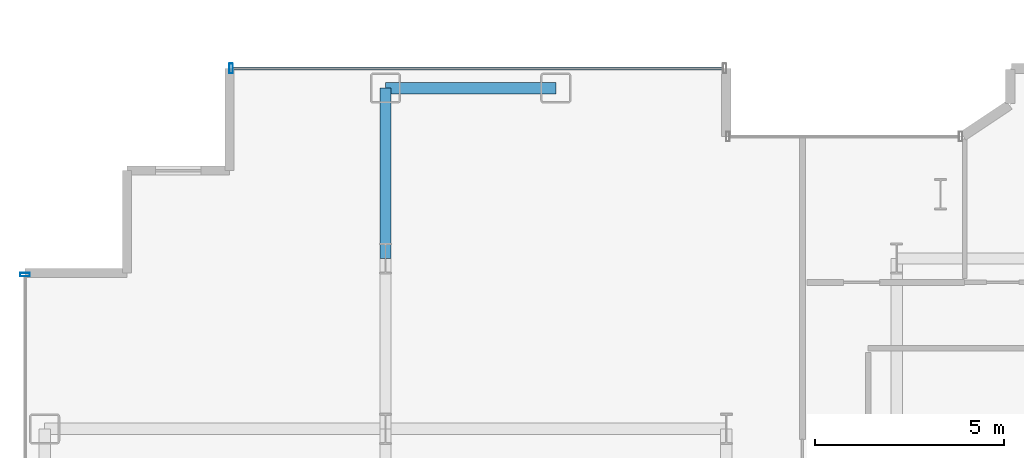
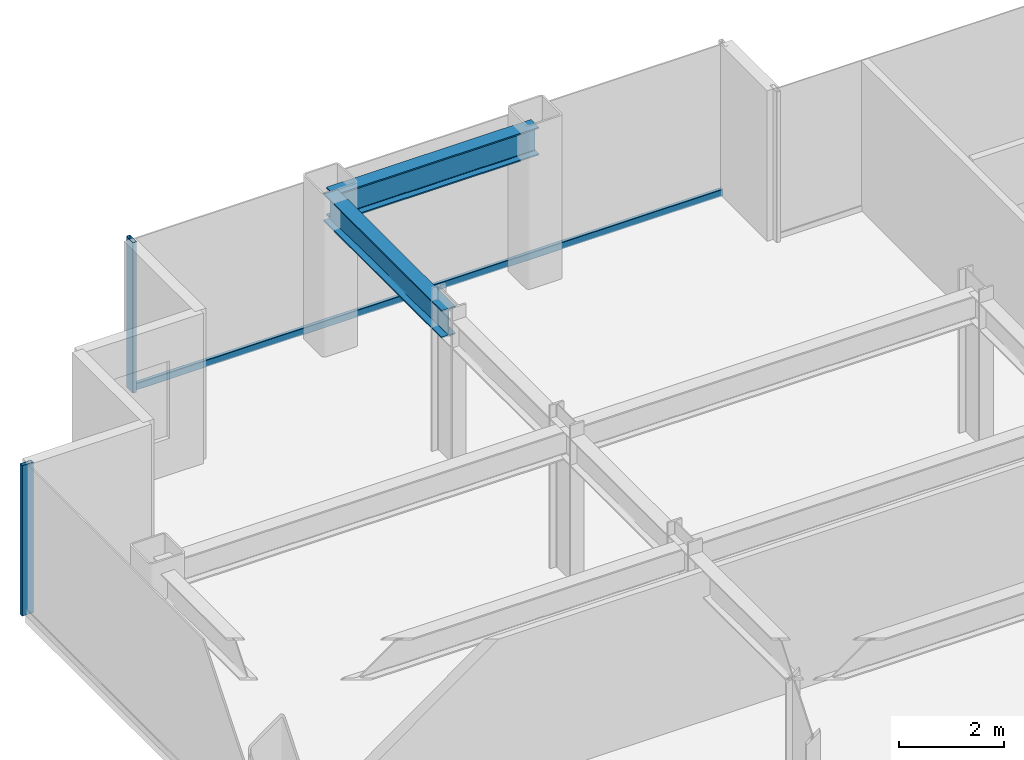
# One storey, part 10 of 23: 3 members, 2 beams, 2 elements without a shape of their own.
"""IFC4 building model written with IfcOpenShell, lengths in metres."""

from ifc_helpers import new_model, si_unit, direction, frame, origin, origin_2d, place, context, subcontext, project, spatial, hollow_rectangle, i_section, extrude, source, transform, mapped, material, layer, layer_set, material_profile, profile_set, type_object, element, aggregate, save


model = new_model("IFC4")

# Units and contexts
model_context = context("Model", 3, precision=1e-05, world=origin(), true_north=direction((0.0, 1.0)))
body_context = subcontext(model_context, "Body", "Model", "MODEL_VIEW")
ifc_project = project(units=[si_unit("LENGTHUNIT", "METRE"), si_unit("AREAUNIT", "SQUARE_METRE"), si_unit("VOLUMEUNIT", "CUBIC_METRE"), si_unit("PLANEANGLEUNIT", "RADIAN"), si_unit("MASSUNIT", "GRAM", prefix="KILO")], contexts=[model_context])

# Site, building, storey
site_placement = place(None, origin())
site = spatial("IfcSite", under=ifc_project, at=site_placement, CompositionType="ELEMENT")
building_placement = place(site_placement, origin())
building = spatial("IfcBuilding", under=site, at=building_placement, Name="Nefas-Gora Pilgrimage Tower", CompositionType="ELEMENT")
storey_placement = place(building_placement, frame((0.0, 0.0, 198.199951171875)))
storey = spatial("IfcBuildingStorey", under=building, at=storey_placement, Name="L49", CompositionType="ELEMENT", Elevation=198.199951171875)

# Beams
ifc_material_1 = material(Name="Steel S355", Category="steel")
ifc_material_profile_1 = material_profile(ifc_material_1, i_section(OverallWidth=0.300048828125, OverallDepth=0.64990234375, WebThickness=0.01611328125, FlangeThickness=0.031005859375, FilletRadius=0.027099609375, at=origin_2d()), Name="HEB 650")
ifc_profile_set_1 = profile_set([ifc_material_profile_1], Name="Steel S355")
beam_type_1 = type_object("IfcBeamType", Name="BM-SPN-HEB500", PredefinedType="SPANDREL", material=ifc_profile_set_1)
shared_shape_1 = source(origin(), body_context, "Body", "SweptSolid", [
    extrude(i_section(OverallWidth=0.300048828125, OverallDepth=0.64990234375, WebThickness=0.01611328125, FlangeThickness=0.031005859375, FilletRadius=0.027099609375, at=origin_2d()), origin(), (0.0, 0.0, 1.0), 4.5),
])
beam_1_placement = place(storey_placement, frame((-24.75, 22.5, 3.175048828125), z_axis=(1.0, 0.0, 0.0), x_axis=(0.0, 1.0, 0.0)))
element("IfcBeam", 1, at=beam_1_placement, inside=storey, type_object=beam_type_1, Name="L49 SP-02 beam", PredefinedType="SPANDREL", context=body_context, shape_type="MappedRepresentation", body=[
    mapped(shared_shape_1, transform((0.0, 0.0, 0.0), x_axis=(1.0, 0.0, 0.0), y_axis=(0.0, 1.0, 0.0), z_axis=(0.0, 0.0, 1.0), scale=1.0)),
])
ifc_material_profile_2 = material_profile(ifc_material_1, i_section(OverallWidth=0.300048828125, OverallDepth=0.64990234375, WebThickness=0.01611328125, FlangeThickness=0.031005859375, FilletRadius=0.027099609375, at=origin_2d()), Name="HEB 650")
ifc_profile_set_2 = profile_set([ifc_material_profile_2], Name="Steel S355")
beam_type_2 = type_object("IfcBeamType", Name="BM-GIR-HEB650", PredefinedType="BEAM", material=ifc_profile_set_2)
shared_shape_2 = source(origin(), body_context, "Body", "SweptSolid", [
    extrude(i_section(OverallWidth=0.300048828125, OverallDepth=0.64990234375, WebThickness=0.01611328125, FlangeThickness=0.031005859375, FilletRadius=0.027099609375, at=origin_2d()), origin(), (0.0, 0.0, 1.0), 4.5),
])
beam_2_placement = place(storey_placement, frame((-24.75, 18.0, 3.175048828125), z_axis=(0.0, 1.0, 0.0), x_axis=(-1.0, 0.0, 0.0)))
element("IfcBeam", 2, at=beam_2_placement, inside=storey, type_object=beam_type_2, Name="L49 G-03 beam", PredefinedType="BEAM", context=body_context, shape_type="MappedRepresentation", body=[
    mapped(shared_shape_2, transform((0.0, 0.0, 0.0), x_axis=(1.0, 0.0, 0.0), y_axis=(0.0, 1.0, 0.0), z_axis=(0.0, 0.0, 1.0), scale=1.0)),
])

# Curtain wall, members
ifc_material_2 = material(Name="Dark ceramic-fritted solar-control aluminium-glass curtain wall", Category="aluminium")
ifc_layer = layer(ifc_material_2, 0.219970703125)
ifc_layer_set = layer_set([ifc_layer], Name="Dark ceramic-fritted solar-control aluminium-glass curtain wall")
curtain_wall_type = type_object("IfcCurtainWallType", Name="CW-SYS-3", PredefinedType="NOTDEFINED", material=ifc_layer_set)
curtain_wall_1_placement = place(storey_placement, origin())
curtain_wall_1 = element("IfcCurtainWall", 3, at=curtain_wall_1_placement, inside=storey, type_object=curtain_wall_type, Name="L49 Unitised Curtain Wall CW3", PredefinedType="NOTDEFINED")
ifc_material_3 = material(Name="Anodised architectural aluminium", Category="aluminium")
ifc_material_profile_3 = material_profile(ifc_material_3, hollow_rectangle(XDim=0.080078125, YDim=0.159912109375, WallThickness=0.00439453125, InnerFilletRadius=0.00439453125, OuterFilletRadius=0.009033203125, at=origin_2d()), Name="ALU TRANSOM 80x160")
ifc_profile_set_3 = profile_set([ifc_material_profile_3], Name="Anodised architectural aluminium")
member_type_1 = type_object("IfcMemberType", Name="CWM-TRN-3", PredefinedType="USERDEFINED", material=ifc_profile_set_3)
shared_shape_3 = source(origin(), body_context, "Body", "SweptSolid", [
    extrude(hollow_rectangle(XDim=0.080078125, YDim=0.159912109375, WallThickness=0.00439453125, InnerFilletRadius=0.00439453125, OuterFilletRadius=0.009033203125, at=origin_2d()), origin(), (0.0, 0.0, 1.0), 12.93994140625),
])
member_1_placement = place(storey_placement, frame((-15.840087890625, 23.02001953125, 0.050048828125), z_axis=(-1.0, 0.0, 0.0), x_axis=(0.0, -1.0, 0.0)))
member_1 = element("IfcMember", 4, at=member_1_placement, type_object=member_type_1, Name="CW3 Spandrel Transom", ObjectType="TRANSOM", PredefinedType="USERDEFINED", context=body_context, shape_type="MappedRepresentation", body=[
    mapped(shared_shape_3, transform((0.0, 0.0, 0.0), x_axis=(1.0, 0.0, 0.0), y_axis=(0.0, 1.0, 0.0), z_axis=(0.0, 0.0, 1.0), scale=1.0)),
])
ifc_material_profile_4 = material_profile(ifc_material_3, hollow_rectangle(XDim=0.090087890625, YDim=0.260009765625, WallThickness=0.006103515625, InnerFilletRadius=0.006103515625, OuterFilletRadius=0.011962890625, at=origin_2d()), Name="ALU MULLION 90x260")
ifc_profile_set_4 = profile_set([ifc_material_profile_4], Name="Anodised architectural aluminium")
member_type_2 = type_object("IfcMemberType", Name="CWM-MUL-3", PredefinedType="MULLION", material=ifc_profile_set_4)
shared_shape_4 = source(origin(), body_context, "Body", "SweptSolid", [
    extrude(hollow_rectangle(XDim=0.090087890625, YDim=0.260009765625, WallThickness=0.006103515625, InnerFilletRadius=0.006103515625, OuterFilletRadius=0.011962890625, at=origin_2d()), origin(), (0.0, 0.0, 1.0), 3.5),
])
member_2_placement = place(storey_placement, frame((-28.824951171875, 23.02001953125, 0.0), z_axis=(0.0, 0.0, 1.0), x_axis=(-1.0, 0.0, 0.0)))
member_2 = element("IfcMember", 5, at=member_2_placement, type_object=member_type_2, Name="CW3 Mullion 2", PredefinedType="MULLION", context=body_context, shape_type="MappedRepresentation", body=[
    mapped(shared_shape_4, transform((0.0, 0.0, 0.0), x_axis=(1.0, 0.0, 0.0), y_axis=(0.0, 1.0, 0.0), z_axis=(0.0, 0.0, 1.0), scale=1.0)),
])
aggregate(curtain_wall_1, [member_2, member_1])

# Curtain wall, member
curtain_wall_2_placement = place(storey_placement, origin())
curtain_wall_2 = element("IfcCurtainWall", 6, at=curtain_wall_2_placement, inside=storey, type_object=curtain_wall_type, Name="L49 Unitised Curtain Wall CW3", PredefinedType="NOTDEFINED")
member_3_placement = place(storey_placement, frame((-34.27001953125, 17.574951171875, 0.0), z_axis=(0.0, 0.0, 1.0), x_axis=(0.0, -1.0, 0.0)))
member_3 = element("IfcMember", 7, at=member_3_placement, type_object=member_type_2, Name="CW3 Mullion 1", PredefinedType="MULLION", context=body_context, shape_type="MappedRepresentation", body=[
    mapped(shared_shape_4, transform((0.0, 0.0, 0.0), x_axis=(1.0, 0.0, 0.0), y_axis=(0.0, 1.0, 0.0), z_axis=(0.0, 0.0, 1.0), scale=1.0)),
])
aggregate(curtain_wall_2, [member_3])

save(model, "model.ifc")
